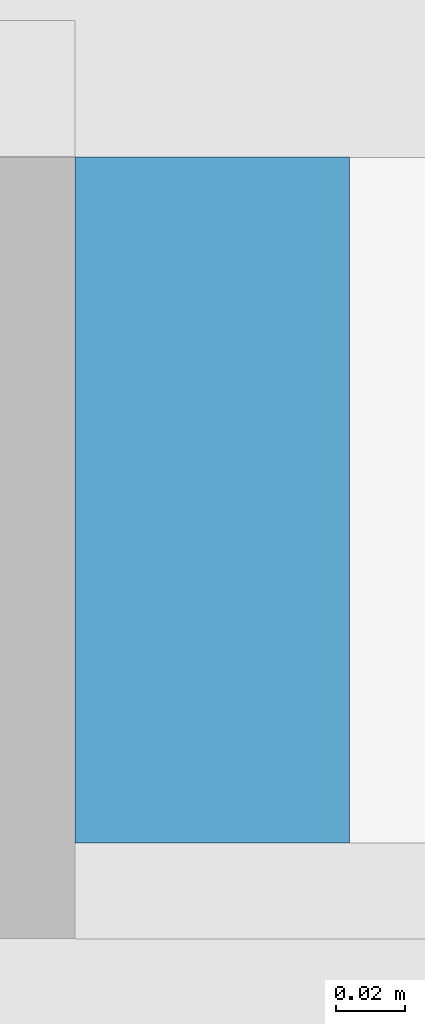
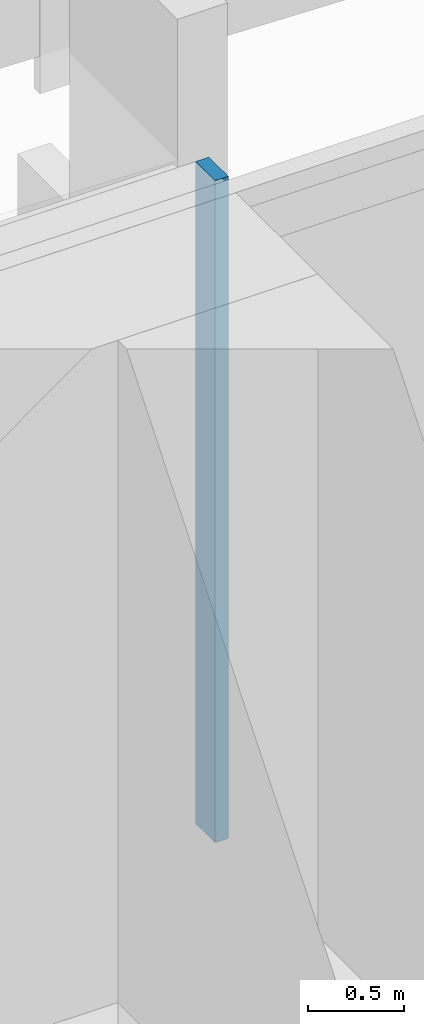
# One storey, part 8 of 23: 1 member, 1 element without a shape of its own.
"""IFC4 building model written with IfcOpenShell, lengths in metres."""

from ifc_helpers import new_model, si_unit, direction, frame, origin, origin_2d, place, context, subcontext, project, spatial, rectangle, extrude, material, material_profile, profile_set, type_object, element, aggregate, save


model = new_model("IFC4")

# Units and contexts
model_context = context("Model", 3, precision=1e-05, world=origin(), true_north=direction((0.0, 1.0)))
body_context = subcontext(model_context, "Body", "Model", "MODEL_VIEW")
ifc_project = project(units=[si_unit("LENGTHUNIT", "METRE"), si_unit("AREAUNIT", "SQUARE_METRE"), si_unit("VOLUMEUNIT", "CUBIC_METRE"), si_unit("PLANEANGLEUNIT", "RADIAN"), si_unit("MASSUNIT", "GRAM", prefix="KILO")], contexts=[model_context])

# Site, building, storey
site_placement = place(None, origin())
site = spatial("IfcSite", under=ifc_project, at=site_placement, CompositionType="ELEMENT")
building_placement = place(site_placement, origin())
building = spatial("IfcBuilding", under=site, at=building_placement, Name="Saffron Gate Tower", CompositionType="ELEMENT")
storey_placement = place(building_placement, frame((0.0, 0.0, 23.699951171875)))
storey = spatial("IfcBuildingStorey", under=building, at=storey_placement, Name="L04", CompositionType="ELEMENT", Elevation=23.699951171875)

# Curtain wall, member
ifc_material = material(Name="Aluminium, bronze anodised", Category="aluminium")
curtain_wall_type = type_object("IfcCurtainWallType", Name="CWS6 curtain wall tall storeys", PredefinedType="NOTDEFINED", material=ifc_material)
curtain_wall_placement = place(storey_placement, origin())
curtain_wall = element("IfcCurtainWall", 1, at=curtain_wall_placement, inside=storey, type_object=curtain_wall_type, Name="CWS6 run 7", PredefinedType="NOTDEFINED")
ifc_material_profile = material_profile(ifc_material, rectangle(XDim=0.199951171875, YDim=0.080078125, at=origin_2d()))
ifc_profile_set = profile_set([ifc_material_profile], Name="Aluminium, bronze anodised")
member_type = type_object("IfcMemberType", Name="CWS6 mullion 80x200", PredefinedType="MULLION", material=ifc_profile_set)
member_placement = place(storey_placement, frame((108.60009765625, 75.5, 0.0), z_axis=(0.0, 0.0, 1.0), x_axis=(0.0, -1.0, 0.0)))
member = element("IfcMember", 2, at=member_placement, type_object=member_type, Name="CWS6 mullion 3", PredefinedType="MULLION", context=body_context, shape_type="SweptSolid", body=[
    extrude(rectangle(XDim=0.199951171875, YDim=0.080078125, at=origin_2d()), origin(), (0.0, 0.0, 1.0), 4.199951171875),
])
aggregate(curtain_wall, [member])

save(model, "model.ifc")
